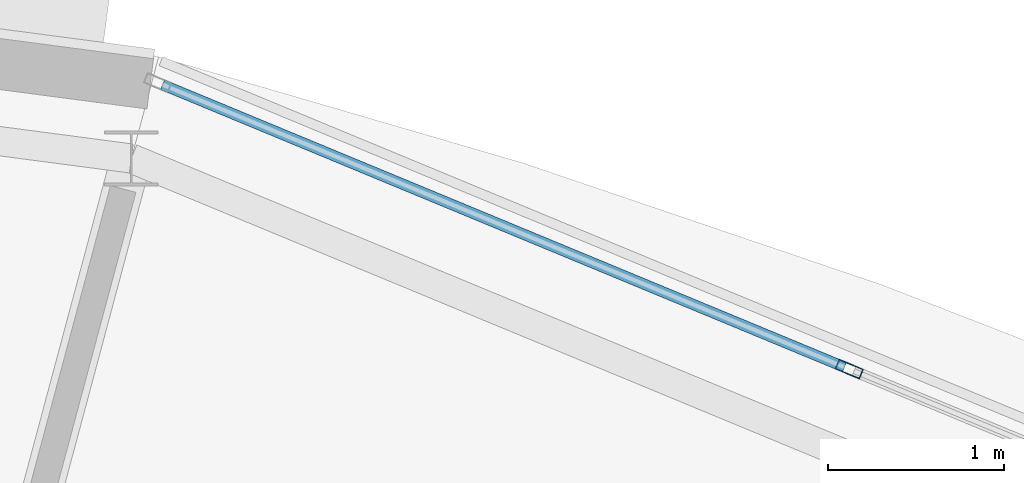
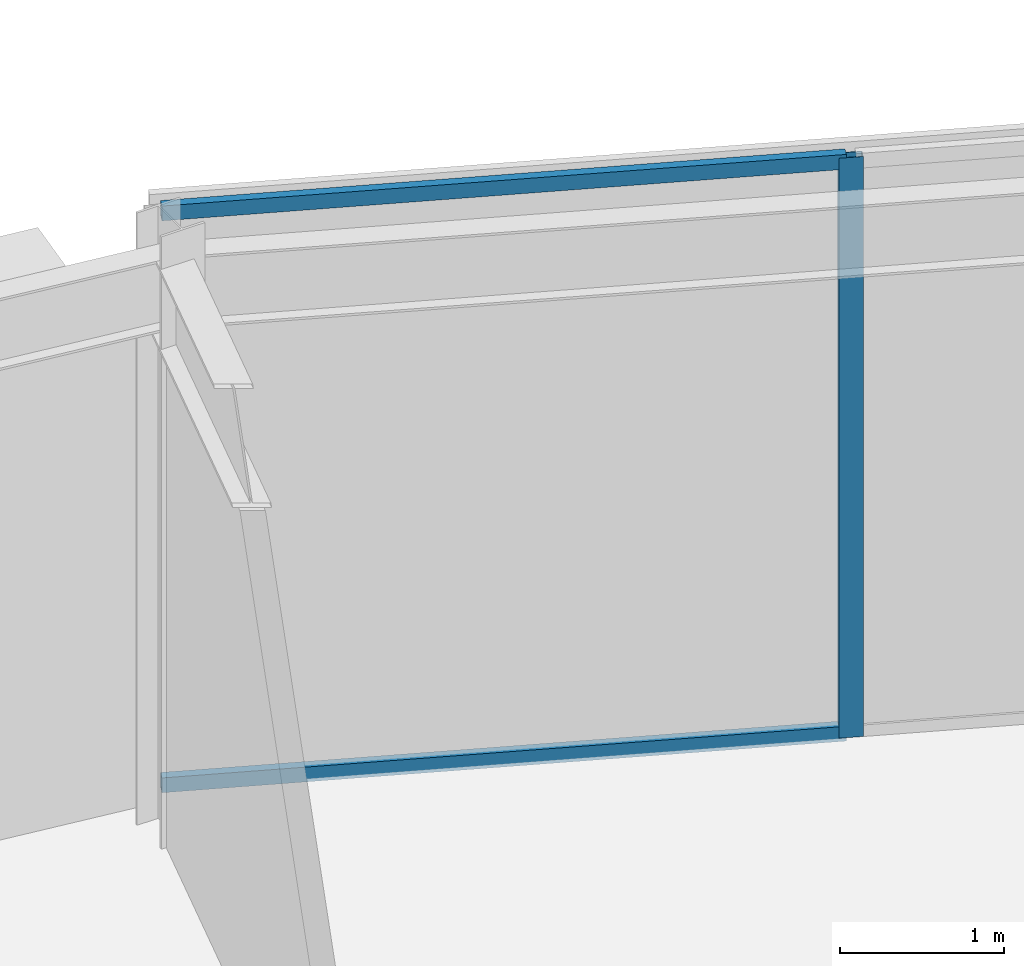
# One storey, part 47 of 89: 3 members, 1 element without a shape of its own.
"""IFC4 building model written with IfcOpenShell, lengths in metres."""

from ifc_helpers import new_model, si_unit, direction, frame, origin, origin_2d, place, context, subcontext, project, spatial, hollow_rectangle, extrude, material, material_profile, profile_set, type_object, element, aggregate, save


model = new_model("IFC4")

# Units and contexts
model_context = context("Model", 3, precision=1e-05, world=origin(), true_north=direction((0.0, 1.0)))
body_context = subcontext(model_context, "Body", "Model", "MODEL_VIEW")
ifc_project = project(units=[si_unit("LENGTHUNIT", "METRE"), si_unit("AREAUNIT", "SQUARE_METRE"), si_unit("VOLUMEUNIT", "CUBIC_METRE"), si_unit("PLANEANGLEUNIT", "RADIAN"), si_unit("MASSUNIT", "GRAM", prefix="KILO")], contexts=[model_context])

# Site, building, storey
site_placement = place(None, origin())
site = spatial("IfcSite", under=ifc_project, at=site_placement, CompositionType="ELEMENT")
building_placement = place(site_placement, origin())
building = spatial("IfcBuilding", under=site, at=building_placement, Name="Almandine Court Research Institute", CompositionType="ELEMENT")
storey_placement = place(building_placement, frame((0.0, 0.0, 18.89990234375)))
storey = spatial("IfcBuildingStorey", under=building, at=storey_placement, Name="L04", CompositionType="ELEMENT", Elevation=18.89990234375)

# Curtain wall, members
ifc_material_1 = material(Name="Unitised Curtain Wall Framing and Solar Glazing", Category="glass")
curtain_wall_type = type_object("IfcCurtainWallType", Name="CW-CWG-22", PredefinedType="USERDEFINED", material=ifc_material_1)
curtain_wall_placement = place(storey_placement, origin())
curtain_wall = element("IfcCurtainWall", 1, at=curtain_wall_placement, inside=storey, type_object=curtain_wall_type, Name="L04 Stacked-Ring Drum Outer Unitised Glazing 04", ObjectType="UNITISED GLAZING", PredefinedType="USERDEFINED")
ifc_material_2 = material(Name="Anodised Aluminium AW-6063-T6", Category="aluminium")
ifc_material_profile_1 = material_profile(ifc_material_2, hollow_rectangle(XDim=0.06005859375, YDim=0.14990234375, WallThickness=0.00390625, at=origin_2d()), Name="ALU RHS 60x150x4")
ifc_profile_set_1 = profile_set([ifc_material_profile_1], Name="Anodised Aluminium AW-6063-T6")
member_type_1 = type_object("IfcMemberType", Name="CWMul-60x150", PredefinedType="MULLION", material=ifc_profile_set_1)
member_1_placement = place(storey_placement, frame((103.7451171875, 102.034423828125, 0.0), z_axis=(0.0, 0.0, 1.0), x_axis=(0.382662689242, 0.923888124321, 0.0)))
member_1 = element("IfcMember", 2, at=member_1_placement, type_object=member_type_1, Name="CWG-22 mullion 2", PredefinedType="MULLION", context=body_context, shape_type="SweptSolid", body=[
    extrude(hollow_rectangle(XDim=0.06005859375, YDim=0.14990234375, WallThickness=0.00390625, at=origin_2d()), origin(), (0.0, 0.0, 1.0), 4.31005859375),
])
ifc_material_profile_2 = material_profile(ifc_material_2, hollow_rectangle(XDim=0.06005859375, YDim=0.110107421875, WallThickness=0.00390625, at=origin_2d()), Name="ALU RHS 60x110x4")
ifc_profile_set_2 = profile_set([ifc_material_profile_2], Name="Anodised Aluminium AW-6063-T6")
member_type_2 = type_object("IfcMemberType", Name="CWTrn-60x110", PredefinedType="NOTDEFINED", material=ifc_profile_set_2)
member_2_placement = place(storey_placement, frame((99.83447265625, 103.654052734375, 0.030029296875), z_axis=(0.923892933282, -0.382651078441, 0.0), x_axis=(0.382651078441, 0.923892933282, 0.0)))
member_2 = element("IfcMember", 3, at=member_2_placement, type_object=member_type_2, Name="CWG-22 transom 1.1", ObjectType="TRANSOM", PredefinedType="USERDEFINED", context=body_context, shape_type="SweptSolid", body=[
    extrude(hollow_rectangle(XDim=0.06005859375, YDim=0.110107421875, WallThickness=0.00390625, at=origin_2d()), origin(), (0.0, 0.0, 1.0), 4.20263671875),
])
member_3_placement = place(storey_placement, frame((99.83447265625, 103.654052734375, 4.280029296875), z_axis=(0.923892933282, -0.382651078441, 0.0), x_axis=(0.382651078441, 0.923892933282, 0.0)))
member_3 = element("IfcMember", 4, at=member_3_placement, type_object=member_type_2, Name="CWG-22 transom 1.2", ObjectType="TRANSOM", PredefinedType="USERDEFINED", context=body_context, shape_type="SweptSolid", body=[
    extrude(hollow_rectangle(XDim=0.06005859375, YDim=0.110107421875, WallThickness=0.00390625, at=origin_2d()), origin(), (0.0, 0.0, 1.0), 4.20263671875),
])
aggregate(curtain_wall, [member_1, member_2, member_3])

save(model, "model.ifc")
